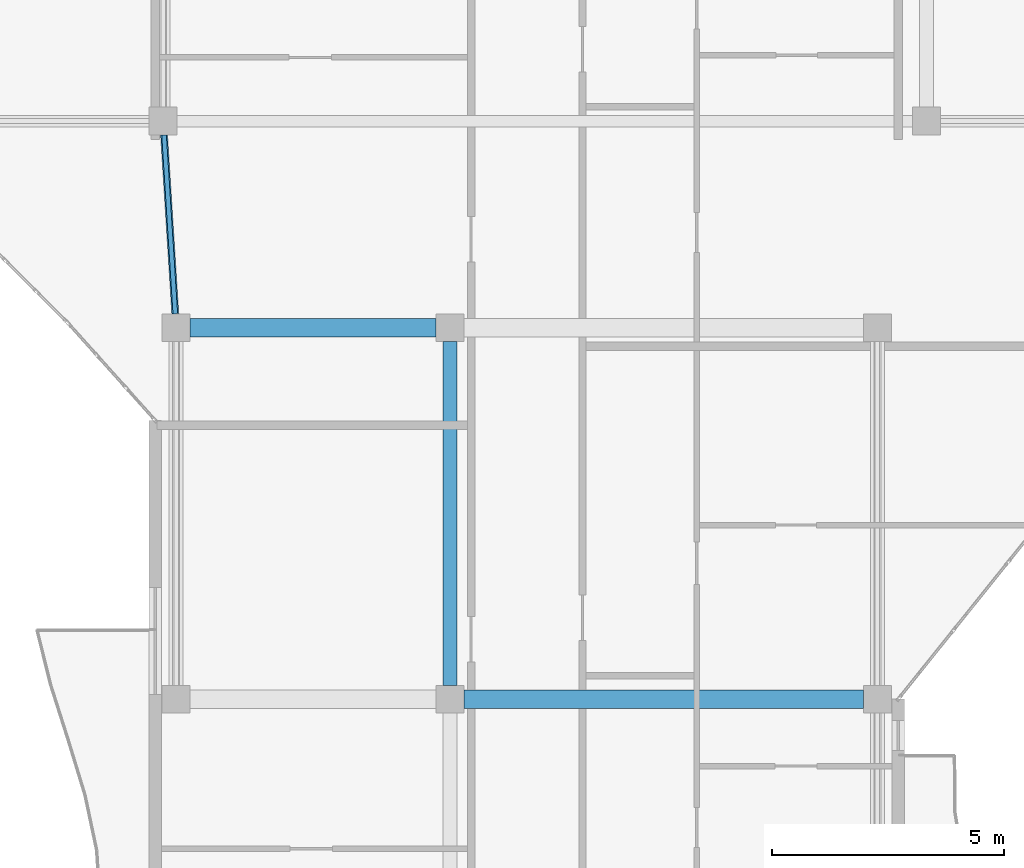
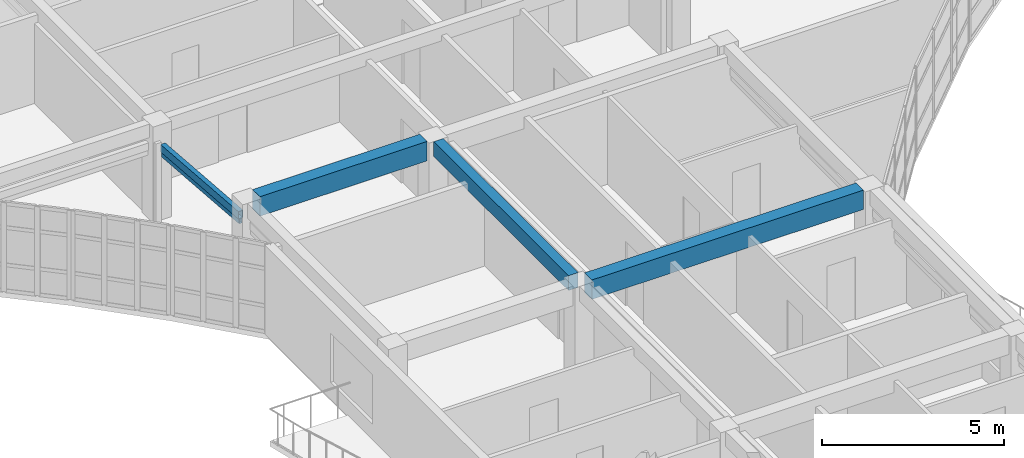
# One storey, part 5 of 72: 3 beams, 2 members.
"""IFC4 building model written with IfcOpenShell, lengths in metres."""

from ifc_helpers import new_model, si_unit, direction, frame, origin, origin_2d, place, context, subcontext, project, spatial, rectangle, hollow_rectangle, extrude, material, material_profile, profile_set, type_object, element, save


model = new_model("IFC4")

# Units and contexts
model_context = context("Model", 3, precision=1e-05, world=origin(), true_north=direction((0.0, 1.0)))
body_context = subcontext(model_context, "Body", "Model", "MODEL_VIEW")
ifc_project = project(units=[si_unit("LENGTHUNIT", "METRE"), si_unit("AREAUNIT", "SQUARE_METRE"), si_unit("VOLUMEUNIT", "CUBIC_METRE"), si_unit("PLANEANGLEUNIT", "RADIAN"), si_unit("MASSUNIT", "GRAM", prefix="KILO")], contexts=[model_context])

# Site, building, storey
site_placement = place(None, origin())
site = spatial("IfcSite", under=ifc_project, at=site_placement, CompositionType="ELEMENT")
building_placement = place(site_placement, origin())
building = spatial("IfcBuilding", under=site, at=building_placement, Name="Keldmere Railside Commons", CompositionType="ELEMENT")
storey_placement = place(building_placement, frame((0.0, 0.0, 16.9599609375)))
storey = spatial("IfcBuildingStorey", under=building, at=storey_placement, Name="L05", CompositionType="ELEMENT", Elevation=16.9599609375)

# Member
ifc_material_1 = material(Name="Steel F-36 (S355)", Category="steel")
ifc_material_profile_1 = material_profile(ifc_material_1, hollow_rectangle(XDim=0.14990234375, YDim=0.25, WallThickness=0.010009765625, at=origin_2d()), Name="RHS-250x150x10")
ifc_profile_set_1 = profile_set([ifc_material_profile_1], Name="Steel F-36 (S355)")
member_type_1 = type_object("IfcMemberType", Name="Balcony Continuous Planted Trough RHS250x150", PredefinedType="CHORD", material=ifc_profile_set_1)
member_1_placement = place(storey_placement, frame((48.43115234375, 96.29931640625, 2.4150390625), z_axis=(-0.06282335906, 0.998024661798, 0.0), x_axis=(-0.998024661798, -0.06282335906, 0.0)))
element("IfcMember", 1, at=member_1_placement, inside=storey, type_object=member_type_1, Name="PLT-1 MEM-BPLT-0605", PredefinedType="CHORD", context=body_context, shape_type="SweptSolid", body=[
    extrude(hollow_rectangle(XDim=0.14990234375, YDim=0.25, WallThickness=0.010009765625, at=origin_2d()), origin(), (0.0, 0.0, 1.0), 3.85888671875),
])

# Beams
ifc_material_2 = material(Name="Concrete H-30 (C30/37)", Category="concrete")
ifc_material_profile_2 = material_profile(ifc_material_2, rectangle(XDim=0.39990234375, YDim=0.64990234375, at=origin_2d()), Name="RC-400x650")
ifc_profile_set_2 = profile_set([ifc_material_profile_2], Name="Concrete H-30 (C30/37)")
beam_type_1 = type_object("IfcBeamType", Name="Residential Spine RC Girder 400x650", PredefinedType="BEAM", material=ifc_profile_set_2)
beam_1_placement = place(storey_placement, frame((54.64990234375, 88.0, 2.875), z_axis=(1.0, 0.0, 0.0), x_axis=(0.0, 1.0, 0.0)))
element("IfcBeam", 2, at=beam_1_placement, inside=storey, type_object=beam_type_1, Name="BG-3 BM-L05-1715", PredefinedType="BEAM", context=body_context, shape_type="SweptSolid", body=[
    extrude(rectangle(XDim=0.39990234375, YDim=0.64990234375, at=origin_2d()), origin(), (0.0, 0.0, 1.0), 8.60009765625),
])
beam_2_placement = place(storey_placement, frame((48.75, 96.0, 2.875), z_axis=(1.0, 0.0, 0.0), x_axis=(0.0, 1.0, 0.0)))
element("IfcBeam", 3, at=beam_2_placement, inside=storey, type_object=beam_type_1, Name="BG-3 BM-L05-1722", PredefinedType="BEAM", context=body_context, shape_type="SweptSolid", body=[
    extrude(rectangle(XDim=0.39990234375, YDim=0.64990234375, at=origin_2d()), origin(), (0.0, 0.0, 1.0), 5.300048828125),
])
ifc_material_profile_3 = material_profile(ifc_material_2, rectangle(XDim=0.300048828125, YDim=0.5, at=origin_2d()), Name="RC-300x500")
ifc_profile_set_3 = profile_set([ifc_material_profile_3], Name="Concrete H-30 (C30/37)")
beam_type_2 = type_object("IfcBeamType", Name="Secondary Frame RC Beam 300x500", PredefinedType="BEAM", material=ifc_profile_set_3)
beam_3_placement = place(storey_placement, frame((54.35009765625, 88.300048828125, 2.949951171875), z_axis=(0.0, 1.0, 0.0), x_axis=(-1.0, 0.0, 0.0)))
element("IfcBeam", 4, at=beam_3_placement, inside=storey, type_object=beam_type_2, Name="BG-5 BM-L05-1802", PredefinedType="BEAM", context=body_context, shape_type="SweptSolid", body=[
    extrude(rectangle(XDim=0.300048828125, YDim=0.5, at=origin_2d()), origin(), (0.0, 0.0, 1.0), 7.39990234375),
])

# Member
ifc_material_profile_4 = material_profile(ifc_material_1, hollow_rectangle(XDim=0.10009765625, YDim=0.159912109375, WallThickness=0.008056640625, at=origin_2d()), Name="RHS-160x100x8")
ifc_profile_set_4 = profile_set([ifc_material_profile_4], Name="Steel F-36 (S355)")
member_type_2 = type_object("IfcMemberType", Name="Solar Brise-Soleil Louvre Fin RHS160x100", PredefinedType="STRUT", material=ifc_profile_set_4)
member_2_placement = place(storey_placement, frame((48.43115234375, 96.29931640625, 2.199951171875), z_axis=(-0.06282335906, 0.998024661798, 0.0), x_axis=(-0.998024661798, -0.06282335906, 0.0)))
element("IfcMember", 5, at=member_2_placement, inside=storey, type_object=member_type_2, Name="BSF-1 MEM-BSF-0606", PredefinedType="STRUT", context=body_context, shape_type="SweptSolid", body=[
    extrude(hollow_rectangle(XDim=0.10009765625, YDim=0.159912109375, WallThickness=0.008056640625, at=origin_2d()), origin(), (0.0, 0.0, 1.0), 3.85888671875),
])

save(model, "model.ifc")
